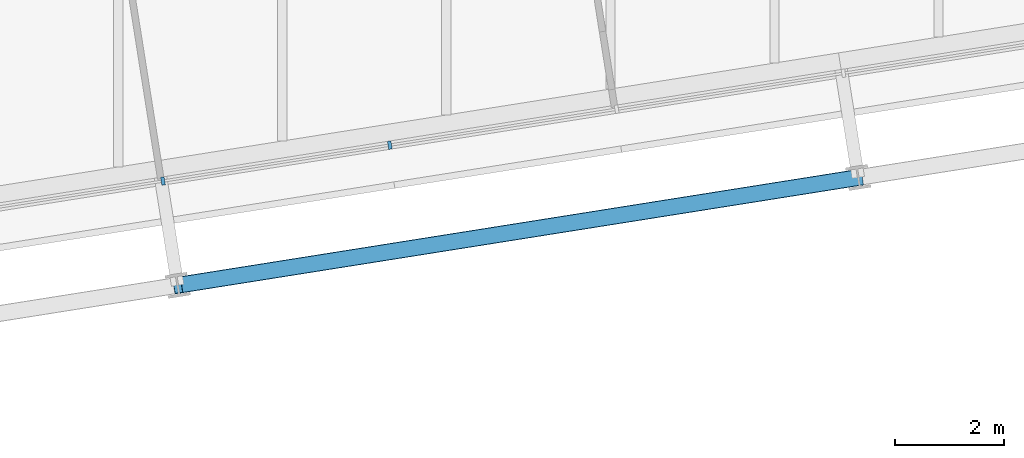
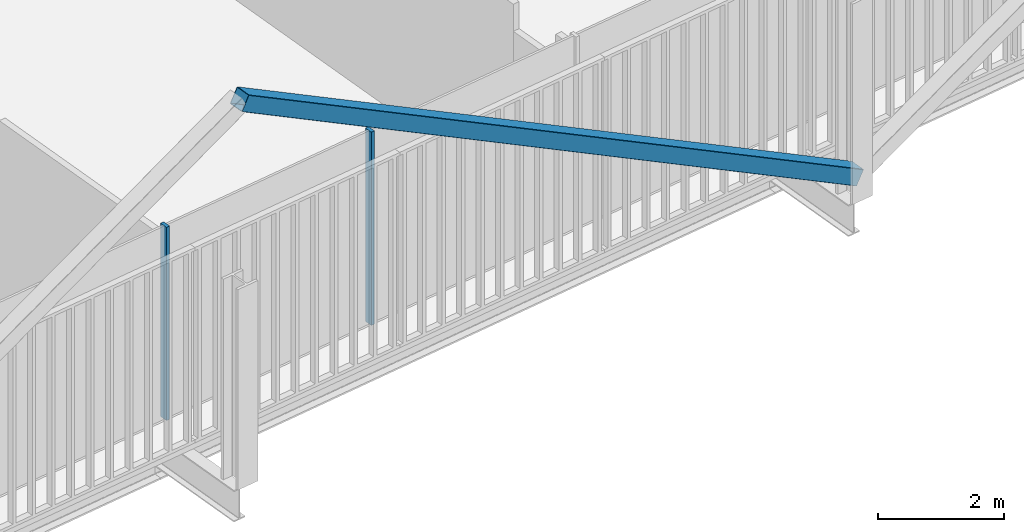
# One storey, part 3 of 21: 3 members, 1 element without a shape of its own.
"""IFC4 building model written with IfcOpenShell, lengths in metres."""

from ifc_helpers import new_model, si_unit, direction, frame, origin, origin_2d, place, context, subcontext, project, spatial, rectangle, hollow_rectangle, extrude, material, layer, layer_set, material_profile, profile_set, type_object, element, aggregate, save


model = new_model("IFC4")

# Units and contexts
model_context = context("Model", 3, precision=1e-05, world=origin(), true_north=direction((0.0, 1.0)))
body_context = subcontext(model_context, "Body", "Model", "MODEL_VIEW")
ifc_project = project(units=[si_unit("LENGTHUNIT", "METRE"), si_unit("AREAUNIT", "SQUARE_METRE"), si_unit("VOLUMEUNIT", "CUBIC_METRE"), si_unit("PLANEANGLEUNIT", "RADIAN"), si_unit("MASSUNIT", "GRAM", prefix="KILO")], contexts=[model_context])

# Site, building, storey
site_placement = place(None, origin())
site = spatial("IfcSite", under=ifc_project, at=site_placement, CompositionType="ELEMENT")
building_placement = place(site_placement, origin())
building = spatial("IfcBuilding", under=site, at=building_placement, Name="Millrace Tower", CompositionType="ELEMENT")
storey_placement = place(building_placement, frame((0.0, 0.0, 247.39990234375)))
storey = spatial("IfcBuildingStorey", under=building, at=storey_placement, Name="L56", CompositionType="ELEMENT", Elevation=247.39990234375)

# Curtain wall, members
ifc_material_1 = material(Name="Aluminium and glass", Category="aluminium")
ifc_layer = layer(ifc_material_1, 0.14990234375)
ifc_layer_set = layer_set([ifc_layer], Name="Aluminium and glass")
curtain_wall_type = type_object("IfcCurtainWallType", Name="CW-1 office vision curtain wall", PredefinedType="NOTDEFINED", material=ifc_layer_set)
curtain_wall_placement = place(storey_placement, origin())
curtain_wall = element("IfcCurtainWall", 1, at=curtain_wall_placement, inside=storey, type_object=curtain_wall_type, Name="Curtain wall D-F02 L56", PredefinedType="NOTDEFINED")
ifc_material_2 = material(Name="Aluminium", Category="aluminium")
ifc_material_profile_1 = material_profile(ifc_material_2, rectangle(XDim=0.06494140625, YDim=0.14990234375, at=origin_2d()))
ifc_profile_set_1 = profile_set([ifc_material_profile_1], Name="Aluminium")
member_type_1 = type_object("IfcMemberType", Name="CW-1 office vision curtain wall mullion", PredefinedType="MULLION", material=ifc_profile_set_1)
member_1_placement = place(storey_placement, frame((-5.1806640625, -19.021240234375, 0.14013671875), z_axis=(0.0, 0.0, 1.0), x_axis=(0.987688339511, 0.156434471884, 0.0)))
member_1 = element("IfcMember", 2, at=member_1_placement, type_object=member_type_1, Name="CW1 mullion D-F02.4", PredefinedType="MULLION", context=body_context, shape_type="SweptSolid", body=[
    extrude(rectangle(XDim=0.06494140625, YDim=0.14990234375, at=origin_2d()), origin(), (0.0, 0.0, 1.0), 3.760009765625),
])
member_2_placement = place(storey_placement, frame((-1.0322265625, -18.3642578125, 0.14013671875), z_axis=(0.0, 0.0, 1.0), x_axis=(0.987688339511, 0.156434471884, 0.0)))
member_2 = element("IfcMember", 3, at=member_2_placement, type_object=member_type_1, Name="CW1 mullion D-F02.5", PredefinedType="MULLION", context=body_context, shape_type="SweptSolid", body=[
    extrude(rectangle(XDim=0.06494140625, YDim=0.14990234375, at=origin_2d()), origin(), (0.0, 0.0, 1.0), 3.760009765625),
])
aggregate(curtain_wall, [member_1, member_2])

# Member
ifc_material_3 = material(Name="Steel ASTM A500 Grade C", Category="steel")
ifc_material_profile_2 = material_profile(ifc_material_3, hollow_rectangle(XDim=0.3046875, YDim=0.3046875, WallThickness=0.009521484375, InnerFilletRadius=0.004638671875, OuterFilletRadius=0.014404296875, at=origin_2d()))
ifc_profile_set_2 = profile_set([ifc_material_profile_2], Name="Steel ASTM A500 Grade C")
member_type_2 = type_object("IfcMemberType", Name="Exoskeleton brace HSS12x12x3/8", PredefinedType="BRACE", material=ifc_profile_set_2)
member_3_placement = place(storey_placement, frame((7.533203125, -18.956787109375, 0.400146484375), z_axis=(-0.863395126588, -0.136740080373, 0.485644937998), x_axis=(0.156425232058, -0.987689802912, 0.0)))
element("IfcMember", 4, at=member_3_placement, inside=storey, type_object=member_type_2, Name="BRC-D-L56-03", PredefinedType="BRACE", context=body_context, shape_type="SweptSolid", body=[
    extrude(hollow_rectangle(XDim=0.3046875, YDim=0.3046875, WallThickness=0.009521484375, InnerFilletRadius=0.004638671875, OuterFilletRadius=0.014404296875, at=origin_2d()), origin(), (0.0, 0.0, 1.0), 14.413818359375),
])

save(model, "model.ifc")
